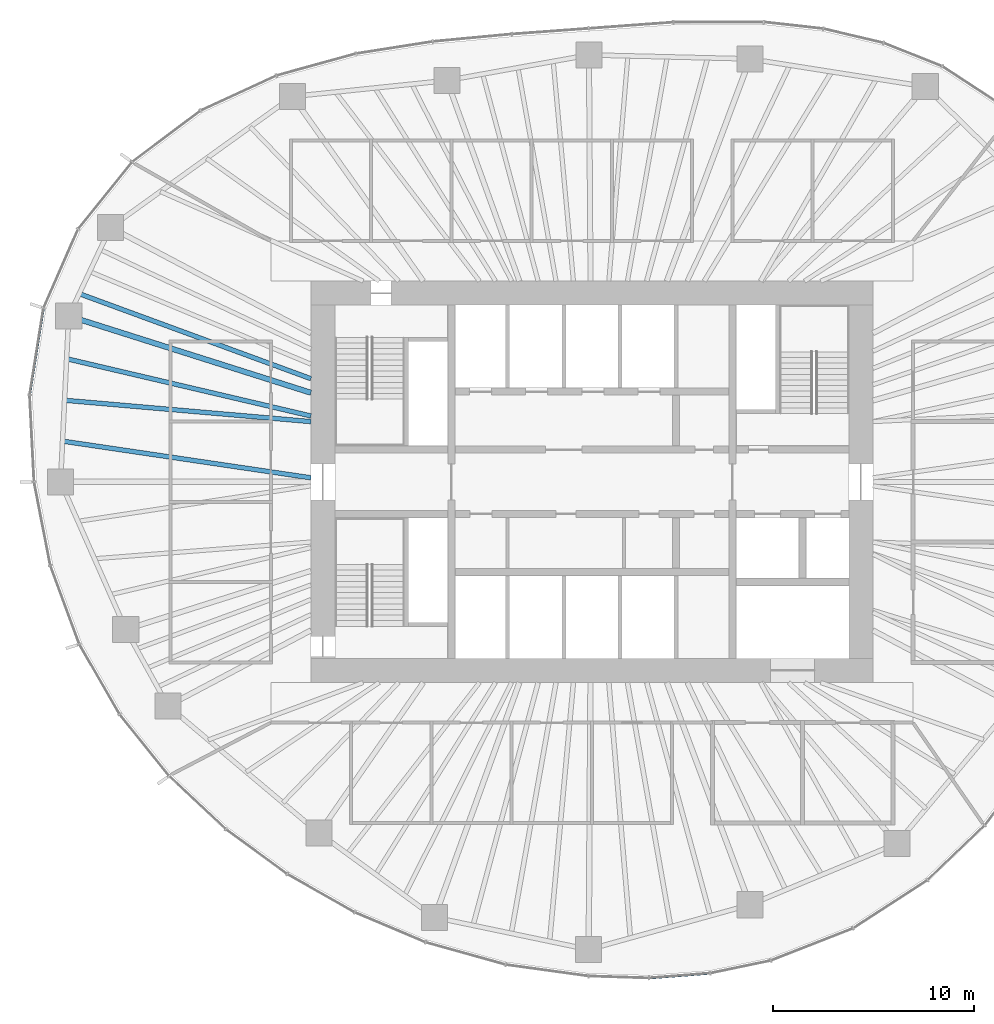
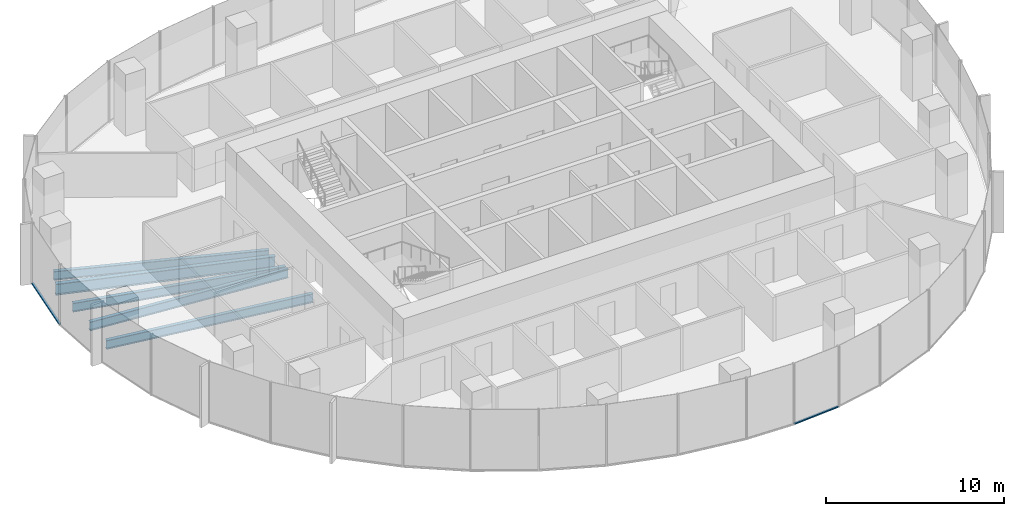
# One storey, part 3 of 12: 5 beams, 2 members, 2 elements without a shape of their own.
"""IFC4 building model written with IfcOpenShell, lengths in metres."""

from ifc_helpers import new_model, si_unit, direction, frame, origin, origin_2d, place, context, subcontext, project, spatial, rectangle, i_section, extrude, material, material_profile, profile_set, type_object, element, aggregate, save


model = new_model("IFC4")

# Units and contexts
model_context = context("Model", 3, precision=1e-05, world=origin(), true_north=direction((0.0, 1.0)))
body_context = subcontext(model_context, "Body", "Model", "MODEL_VIEW")
ifc_project = project(units=[si_unit("LENGTHUNIT", "METRE"), si_unit("AREAUNIT", "SQUARE_METRE"), si_unit("VOLUMEUNIT", "CUBIC_METRE"), si_unit("PLANEANGLEUNIT", "RADIAN"), si_unit("MASSUNIT", "GRAM", prefix="KILO")], contexts=[model_context])

# Site, building, storey
site_placement = place(None, origin())
site = spatial("IfcSite", under=ifc_project, at=site_placement, CompositionType="ELEMENT")
building_placement = place(site_placement, origin())
building = spatial("IfcBuilding", under=site, at=building_placement, Name="Ghaith Harvest Tower", CompositionType="ELEMENT")
storey_placement = place(building_placement, frame((0.0, 0.0, 207.39990234375)))
storey = spatial("IfcBuildingStorey", under=building, at=storey_placement, Name="L45", CompositionType="ELEMENT", Elevation=207.39990234375)

# Curtain wall, member
ifc_material_1 = material(Name="Black anodised aluminium and fritted glass", Category="aluminium")
curtain_wall_type = type_object("IfcCurtainWallType", Name="CW-H CURTAIN WALL", PredefinedType="NOTDEFINED", material=ifc_material_1)
curtain_wall_1_placement = place(storey_placement, origin())
curtain_wall_1 = element("IfcCurtainWall", 1, at=curtain_wall_1_placement, inside=storey, type_object=curtain_wall_type, Name="Curtain wall CW-H bay 10 L45", PredefinedType="NOTDEFINED")
ifc_material_2 = material(Name="Aluminium, black anodised", Category="aluminium")
ifc_material_profile_1 = material_profile(ifc_material_2, rectangle(XDim=0.1298828125, YDim=0.080078125, at=origin_2d()), Name="CW-H TRANSOM 130x80")
ifc_profile_set_1 = profile_set([ifc_material_profile_1], Name="Aluminium, black anodised")
member_type = type_object("IfcMemberType", Name="CW-H TRANSOM 130x80", PredefinedType="USERDEFINED", material=ifc_profile_set_1)
member_1_placement = place(storey_placement, frame((-27.33203125, 8.62060546875, 0.0400390625), z_axis=(-0.157492444441, -0.98752019217, 0.0), x_axis=(0.98752019217, -0.157492444441, 0.0)))
member_1 = element("IfcMember", 2, at=member_1_placement, type_object=member_type, Name="CW-H transom 1 bay 10 L45", ObjectType="TRANSOM", PredefinedType="USERDEFINED", context=body_context, shape_type="SweptSolid", body=[
    extrude(rectangle(XDim=0.1298828125, YDim=0.080078125, at=origin_2d()), origin(), (0.0, 0.0, 1.0), 4.3017578125),
])
aggregate(curtain_wall_1, [member_1])

curtain_wall_2_placement = place(storey_placement, origin())
curtain_wall_2 = element("IfcCurtainWall", 3, at=curtain_wall_2_placement, inside=storey, type_object=curtain_wall_type, Name="Curtain wall CW-H bay 16 L45", PredefinedType="NOTDEFINED")
member_2_placement = place(storey_placement, frame((2.8876953125, -24.71826171875, 0.0400390625), z_axis=(0.996949781933, 0.078045706505, 0.0), x_axis=(-0.078045706505, 0.996949781933, 0.0)))
member_2 = element("IfcMember", 4, at=member_2_placement, type_object=member_type, Name="CW-H transom 2 bay 16 L45", ObjectType="TRANSOM", PredefinedType="USERDEFINED", context=body_context, shape_type="SweptSolid", body=[
    extrude(rectangle(XDim=0.1298828125, YDim=0.080078125, at=origin_2d()), origin(), (0.0, 0.0, 1.0), 2.974853515625),
])
aggregate(curtain_wall_2, [member_2])

# Beams
ifc_material_3 = material(Name="Steel ASTM A992 Grade 50", Category="steel")
ifc_material_profile_2 = material_profile(ifc_material_3, i_section(OverallWidth=0.26806640625, OverallDepth=0.77001953125, WebThickness=0.015625, FlangeThickness=0.025390625, at=origin_2d()), Name="W760X196")
ifc_profile_set_2 = profile_set([ifc_material_profile_2], Name="Steel ASTM A992 Grade 50")
beam_type_1 = type_object("IfcBeamType", Name="G760-196 W760X196", PredefinedType="BEAM", material=ifc_profile_set_2)
beam_1_placement = place(storey_placement, frame((-14.0, 4.43701171875, -0.554931640625), z_axis=(-0.953278738841, 0.302092115212, 0.0), x_axis=(-0.302092115212, -0.953278738841, 0.0)))
element("IfcBeam", 5, at=beam_1_placement, inside=storey, type_object=beam_type_1, Name="Radial girder G10 L45", PredefinedType="BEAM", context=body_context, shape_type="SweptSolid", body=[
    extrude(i_section(OverallWidth=0.26806640625, OverallDepth=0.77001953125, WebThickness=0.015625, FlangeThickness=0.025390625, at=origin_2d()), origin(), (0.0, 0.0, 1.0), 12.658203125),
])
ifc_material_4 = material(Name="Steel ASTM A992 Grade 50", Category="steel")
ifc_material_profile_3 = material_profile(ifc_material_4, i_section(OverallWidth=0.22900390625, OverallDepth=0.612060546875, WebThickness=0.011962890625, FlangeThickness=0.01953125, at=origin_2d()), Name="W610X125")
ifc_profile_set_3 = profile_set([ifc_material_profile_3], Name="Steel ASTM A992 Grade 50")
beam_type_2 = type_object("IfcBeamType", Name="J610-125 W610X125", PredefinedType="JOIST", material=ifc_profile_set_3)
beam_2_placement = place(storey_placement, frame((-14.0, 5.137939453125, -0.475830078125), z_axis=(-0.938775301049, 0.344530019216, 0.0), x_axis=(-0.344530019216, -0.938775301049, 0.0)))
element("IfcBeam", 6, at=beam_2_placement, inside=storey, type_object=beam_type_2, Name="Joist J09.3 L45", PredefinedType="JOIST", context=body_context, shape_type="SweptSolid", body=[
    extrude(i_section(OverallWidth=0.22900390625, OverallDepth=0.612060546875, WebThickness=0.011962890625, FlangeThickness=0.01953125, at=origin_2d()), origin(), (0.0, 0.0, 1.0), 12.295166015625),
])
beam_3_placement = place(storey_placement, frame((-14.0, 3.280517578125, -0.475830078125), z_axis=(-0.973621665777, 0.228168472691, 0.0), x_axis=(-0.228168472691, -0.973621665777, 0.0)))
element("IfcBeam", 7, at=beam_3_placement, inside=storey, type_object=beam_type_2, Name="Joist J10.1 L45", PredefinedType="JOIST", context=body_context, shape_type="SweptSolid", body=[
    extrude(i_section(OverallWidth=0.22900390625, OverallDepth=0.612060546875, WebThickness=0.011962890625, FlangeThickness=0.01953125, at=origin_2d()), origin(), (0.0, 0.0, 1.0), 12.501953125),
])
beam_4_placement = place(storey_placement, frame((-14.0, 3.0, -0.475830078125), z_axis=(-0.996265900996, 0.086338024716, 0.0), x_axis=(-0.086338024716, -0.996265900996, 0.0)))
element("IfcBeam", 8, at=beam_4_placement, inside=storey, type_object=beam_type_2, Name="Joist J10.2 L45", PredefinedType="JOIST", context=body_context, shape_type="SweptSolid", body=[
    extrude(i_section(OverallWidth=0.22900390625, OverallDepth=0.612060546875, WebThickness=0.011962890625, FlangeThickness=0.01953125, at=origin_2d()), origin(), (0.0, 0.0, 1.0), 12.3203125),
])
beam_5_placement = place(storey_placement, frame((-14.0, 0.199951171875, -0.475830078125), z_axis=(-0.989269378665, 0.146103033631, 0.0), x_axis=(-0.146103033631, -0.989269378665, 0.0)))
element("IfcBeam", 9, at=beam_5_placement, inside=storey, type_object=beam_type_2, Name="Joist J10.3 L45", PredefinedType="JOIST", context=body_context, shape_type="SweptSolid", body=[
    extrude(i_section(OverallWidth=0.22900390625, OverallDepth=0.612060546875, WebThickness=0.011962890625, FlangeThickness=0.01953125, at=origin_2d()), origin(), (0.0, 0.0, 1.0), 12.50927734375),
])

save(model, "model.ifc")
